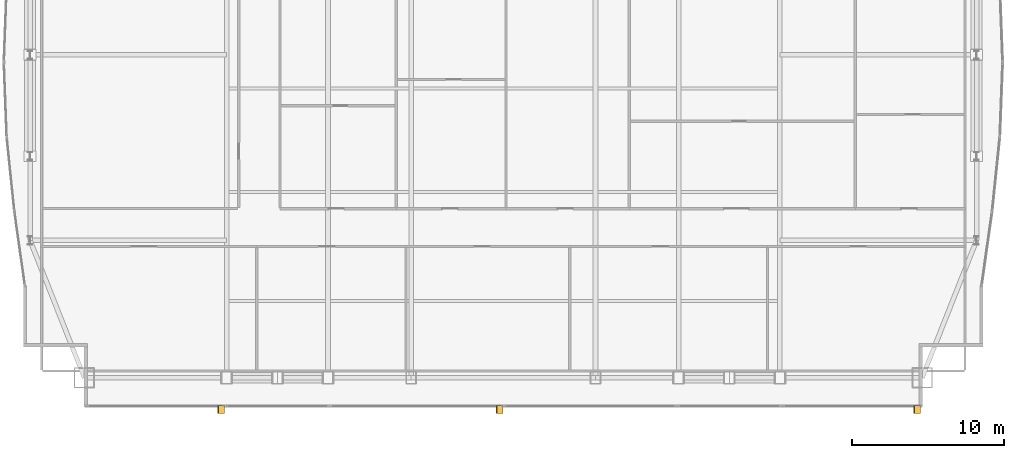
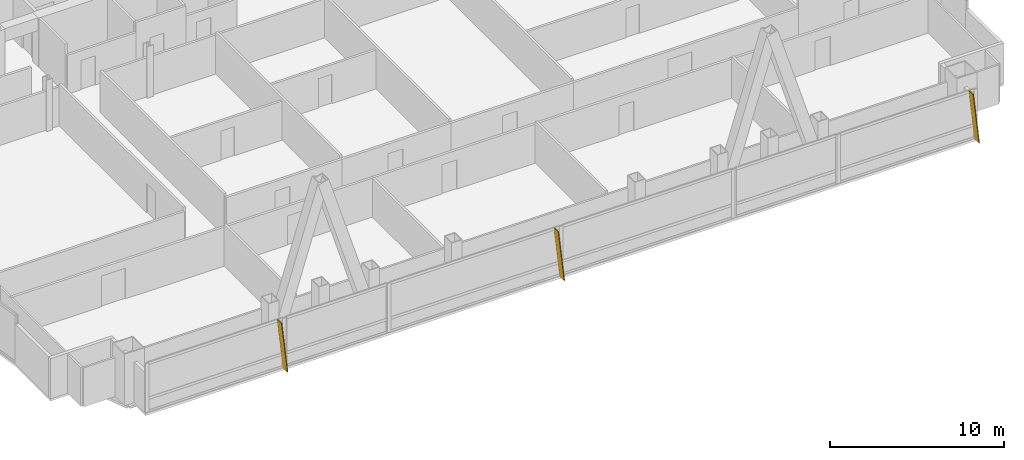
# One storey, part 29 of 30: 3 shading devices.
"""IFC4 building model written with IfcOpenShell, lengths in metres."""

from ifc_helpers import new_model, si_unit, direction, frame, origin, place, context, subcontext, project, spatial, polyline, outline, extrude, material, layer, layer_set, type_object, element, save


model = new_model("IFC4")

# Units and contexts
model_context = context("Model", 3, precision=1e-05, world=origin(), true_north=direction((0.0, 1.0)))
body_context = subcontext(model_context, "Body", "Model", "MODEL_VIEW")
ifc_project = project(units=[si_unit("LENGTHUNIT", "METRE"), si_unit("AREAUNIT", "SQUARE_METRE"), si_unit("VOLUMEUNIT", "CUBIC_METRE"), si_unit("PLANEANGLEUNIT", "RADIAN"), si_unit("MASSUNIT", "GRAM", prefix="KILO")], contexts=[model_context])

# Site, building, storey
site_placement = place(None, origin())
site = spatial("IfcSite", under=ifc_project, at=site_placement, CompositionType="ELEMENT")
building_placement = place(site_placement, origin())
building = spatial("IfcBuilding", under=site, at=building_placement, Name="Khoronbel Lancet Exchange", CompositionType="ELEMENT")
storey_placement = place(building_placement, frame((0.0, 0.0, 147.0)))
storey = spatial("IfcBuildingStorey", under=building, at=storey_placement, Name="L36", CompositionType="ELEMENT", Elevation=147.0)

# Shading devices
ifc_material = material(Name="Bronze-Anodised Aluminium 6063-T6", Category="aluminium")
ifc_layer = layer(ifc_material, 0.054931640625, Name="Bronze-Anodised Aluminium 6063-T6")
ifc_layer_set = layer_set([ifc_layer], Name="Bronze-Anodised Aluminium 6063-T6")
shading_device_type = type_object("IfcShadingDeviceType", Name="SHD-FIN1", PredefinedType="USERDEFINED", material=ifc_layer_set)
for number, where, z_axis, x_axis, name in (
    (1, (18.072509765625, 8.31005859375, -0.080078125), (0.993900347655, 0.0, 0.110281906632), (0.0, -1.0, 0.0), "Slanted bronze solar fin CW-L36-SWV-1"),
    (2, (36.422607421875, 8.31005859375, -0.080078125), (0.993900347655, 0.0, 0.110281906632), (0.0, -1.0, 0.0), "Slanted bronze solar fin CW-L36-SCV-1"),
    (3, (63.9326171875, 8.31005859375, -0.080078125), (0.993900347655, 0.0, 0.110281906632), (0.0, -1.0, 0.0), "Slanted bronze solar fin CW-L36-SEV-1"),
):
    element("IfcShadingDevice", number, at=place(storey_placement, frame(where, z_axis=z_axis, x_axis=x_axis)), inside=storey, type_object=shading_device_type, Name=name, ObjectType="FIN", PredefinedType="USERDEFINED", context=body_context, shape_type="SweptSolid", body=[
        extrude(outline(polyline([(0.0, 0.0), (0.52001953125, 0.0), (0.52001953125, -3.581787109375), (0.0, -3.581787109375), (0.0, 0.0)])), origin(), (0.0, 0.0, -1.0), 0.054931640625),
    ])

save(model, "model.ifc")
